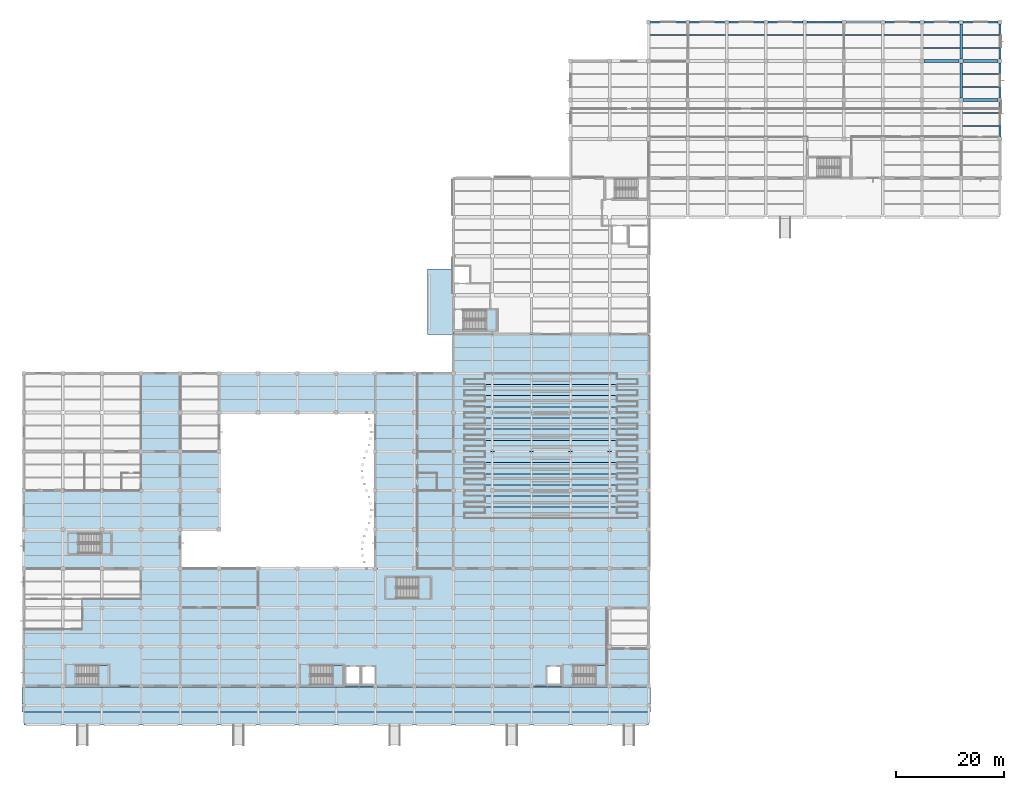
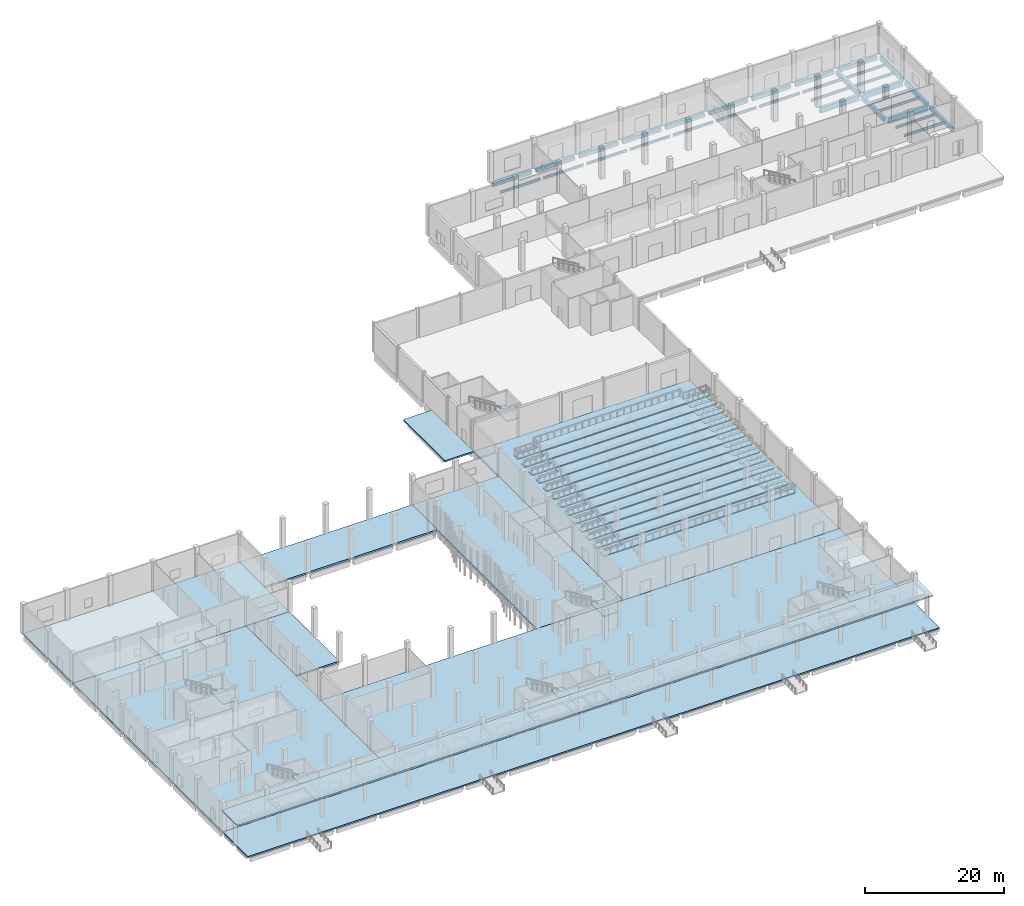
# One storey, part 20 of 46: 32 beams, 29 slabs, 6 elements without a shape of their own.
"""IFC4 building model written with IfcOpenShell, lengths in metres."""

from ifc_helpers import new_model, si_unit, direction, frame, origin, origin_2d, place, context, subcontext, project, spatial, polyline, rectangle, i_section, outline, extrude, material, layer, layer_set, material_profile, profile_set, type_object, element, aggregate, save


model = new_model("IFC4")

# Units and contexts
model_context = context("Model", 3, precision=1e-05, world=origin(), true_north=direction((0.0, 1.0)))
body_context = subcontext(model_context, "Body", "Model", "MODEL_VIEW")
ifc_project = project(units=[si_unit("LENGTHUNIT", "METRE"), si_unit("AREAUNIT", "SQUARE_METRE"), si_unit("VOLUMEUNIT", "CUBIC_METRE"), si_unit("PLANEANGLEUNIT", "RADIAN"), si_unit("MASSUNIT", "GRAM", prefix="KILO"), si_unit("THERMODYNAMICTEMPERATUREUNIT", "KELVIN"), si_unit("POWERUNIT", "WATT")], contexts=[model_context])

# Site, building, storey
site_placement = place(None, origin())
site = spatial("IfcSite", under=ifc_project, at=site_placement, CompositionType="ELEMENT")
building_placement = place(site_placement, origin())
building = spatial("IfcBuilding", under=site, at=building_placement, Name="Kaldorven Railside Theatre", CompositionType="ELEMENT")
storey_placement = place(building_placement, origin())
storey = spatial("IfcBuildingStorey", under=building, at=storey_placement, Name="L00", CompositionType="ELEMENT", Elevation=0.0)

# Beams
ifc_material_1 = material(Name="Steel S355", Category="steel")
ifc_material_profile_1 = material_profile(ifc_material_1, i_section(OverallWidth=0.18994140625, OverallDepth=0.449951171875, WebThickness=0.009521484375, FlangeThickness=0.0146484375, at=origin_2d()), Name="IPE 450")
ifc_profile_set_1 = profile_set([ifc_material_profile_1], Name="Steel S355")
beam_type_1 = type_object("IfcBeamType", Name="BM-IPE450", PredefinedType="JOIST", material=ifc_profile_set_1)
for number, where, z_axis, x_axis, name in (
    (1, (181.02490234375, 122.39990234375, -0.574951171875), (1.0, 0.0, 0.0), (0.0, 1.0, 0.0), "L00 Secondary Floor Joist JG-L00-180-1224"),
    (2, (181.02490234375, 124.800048828125, -0.574951171875), (1.0, 0.0, 0.0), (0.0, 1.0, 0.0), "L00 Secondary Floor Joist JG-L00-180-1248"),
    (3, (181.02490234375, 129.60009765625, -0.574951171875), (1.0, 0.0, 0.0), (0.0, 1.0, 0.0), "L00 Secondary Floor Joist JG-L00-180-1296"),
    (4, (181.02490234375, 132.0, -0.574951171875), (1.0, 0.0, 0.0), (0.0, 1.0, 0.0), "L00 Secondary Floor Joist JG-L00-180-1320"),
):
    element("IfcBeam", number, at=place(storey_placement, frame(where, z_axis=z_axis, x_axis=x_axis)), inside=storey, type_object=beam_type_1, Name=name, PredefinedType="JOIST", context=body_context, shape_type="SweptSolid", body=[
        extrude(i_section(OverallWidth=0.18994140625, OverallDepth=0.449951171875, WebThickness=0.009521484375, FlangeThickness=0.0146484375, at=origin_2d()), origin(), (0.0, 0.0, 1.0), 6.775146484375),
    ])
for number, where, z_axis, x_axis, name in (
    (5, (123.425048828125, 139.199951171875, -0.574951171875), (1.0, 0.0, 0.0), (0.0, 1.0, 0.0), "L00 Secondary Floor Joist JG-L00-123-1392"),
    (6, (130.625, 139.199951171875, -0.574951171875), (1.0, 0.0, 0.0), (0.0, 1.0, 0.0), "L00 Secondary Floor Joist JG-L00-130-1392"),
    (7, (137.824951171875, 139.199951171875, -0.574951171875), (1.0, 0.0, 0.0), (0.0, 1.0, 0.0), "L00 Secondary Floor Joist JG-L00-137-1392"),
    (8, (145.02490234375, 139.199951171875, -0.574951171875), (1.0, 0.0, 0.0), (0.0, 1.0, 0.0), "L00 Secondary Floor Joist JG-L00-144-1392"),
    (9, (152.22509765625, 139.199951171875, -0.574951171875), (1.0, 0.0, 0.0), (0.0, 1.0, 0.0), "L00 Secondary Floor Joist JG-L00-152-1392"),
    (10, (159.425048828125, 139.199951171875, -0.574951171875), (1.0, 0.0, 0.0), (0.0, 1.0, 0.0), "L00 Secondary Floor Joist JG-L00-159-1392"),
    (11, (166.625, 139.199951171875, -0.574951171875), (1.0, 0.0, 0.0), (0.0, 1.0, 0.0), "L00 Secondary Floor Joist JG-L00-166-1392"),
    (12, (173.824951171875, 136.800048828125, -0.574951171875), (1.0, 0.0, 0.0), (0.0, 1.0, 0.0), "L00 Secondary Floor Joist JG-L00-173-1368"),
    (13, (173.824951171875, 139.199951171875, -0.574951171875), (1.0, 0.0, 0.0), (0.0, 1.0, 0.0), "L00 Secondary Floor Joist JG-L00-173-1392"),
):
    element("IfcBeam", number, at=place(storey_placement, frame(where, z_axis=z_axis, x_axis=x_axis)), inside=storey, type_object=beam_type_1, Name=name, PredefinedType="JOIST", context=body_context, shape_type="SweptSolid", body=[
        extrude(i_section(OverallWidth=0.18994140625, OverallDepth=0.449951171875, WebThickness=0.009521484375, FlangeThickness=0.0146484375, at=origin_2d()), origin(), (0.0, 0.0, 1.0), 6.75),
    ])
for number, where, z_axis, x_axis, name in (
    (14, (181.02490234375, 136.800048828125, -0.574951171875), (1.0, 0.0, 0.0), (0.0, 1.0, 0.0), "L00 Secondary Floor Joist JG-L00-180-1368"),
    (15, (181.02490234375, 139.199951171875, -0.574951171875), (1.0, 0.0, 0.0), (0.0, 1.0, 0.0), "L00 Secondary Floor Joist JG-L00-180-1392"),
):
    element("IfcBeam", number, at=place(storey_placement, frame(where, z_axis=z_axis, x_axis=x_axis)), inside=storey, type_object=beam_type_1, Name=name, PredefinedType="JOIST", context=body_context, shape_type="SweptSolid", body=[
        extrude(i_section(OverallWidth=0.18994140625, OverallDepth=0.449951171875, WebThickness=0.009521484375, FlangeThickness=0.0146484375, at=origin_2d()), origin(), (0.0, 0.0, 1.0), 6.775146484375),
    ])
ifc_material_2 = material(Name="Concrete C40/50", Category="concrete")
ifc_material_profile_2 = material_profile(ifc_material_2, rectangle(XDim=0.39990234375, YDim=0.699951171875, at=origin_2d()), Name="RC 400x700")
ifc_profile_set_2 = profile_set([ifc_material_profile_2], Name="Concrete C40/50")
beam_type_2 = type_object("IfcBeamType", Name="BM-RC400x700", PredefinedType="BEAM", material=ifc_profile_set_2)
for number, where, z_axis, x_axis, name in (
    (16, (188.0, 120.375, -0.699951171875), (0.0, 1.0, 0.0), (-1.0, 0.0, 0.0), "L00 Girder BGY-L00-188-120-72"),
    (17, (188.0, 127.574951171875, -0.699951171875), (0.0, 1.0, 0.0), (-1.0, 0.0, 0.0), "L00 Girder BGY-L00-188-127-72"),
):
    element("IfcBeam", number, at=place(storey_placement, frame(where, z_axis=z_axis, x_axis=x_axis)), inside=storey, type_object=beam_type_2, Name=name, PredefinedType="BEAM", context=body_context, shape_type="SweptSolid", body=[
        extrude(rectangle(XDim=0.39990234375, YDim=0.699951171875, at=origin_2d()), origin(), (0.0, 0.0, 1.0), 6.449951171875),
    ])
beam_1_placement = place(storey_placement, frame((188.0, 134.77490234375, -0.699951171875), z_axis=(0.0, 1.0, 0.0), x_axis=(-1.0, 0.0, 0.0)))
element("IfcBeam", 18, at=beam_1_placement, inside=storey, type_object=beam_type_2, Name="L00 Girder BGY-L00-188-134-72", PredefinedType="BEAM", context=body_context, shape_type="SweptSolid", body=[
    extrude(rectangle(XDim=0.39990234375, YDim=0.699951171875, at=origin_2d()), origin(), (0.0, 0.0, 1.0), 6.4501953125),
])
beam_2_placement = place(storey_placement, frame((123.574951171875, 141.60009765625, -0.699951171875), z_axis=(1.0, 0.0, 0.0), x_axis=(0.0, 1.0, 0.0)))
element("IfcBeam", 19, at=beam_2_placement, inside=storey, type_object=beam_type_2, Name="L00 Girder BGX-L00-123-141", PredefinedType="BEAM", context=body_context, shape_type="SweptSolid", body=[
    extrude(rectangle(XDim=0.39990234375, YDim=0.699951171875, at=origin_2d()), origin(), (0.0, 0.0, 1.0), 6.449951171875),
])
beam_3_placement = place(storey_placement, frame((130.77490234375, 141.60009765625, -0.699951171875), z_axis=(1.0, 0.0, 0.0), x_axis=(0.0, 1.0, 0.0)))
element("IfcBeam", 20, at=beam_3_placement, inside=storey, type_object=beam_type_2, Name="L00 Girder BGX-L00-130-141", PredefinedType="BEAM", context=body_context, shape_type="SweptSolid", body=[
    extrude(rectangle(XDim=0.39990234375, YDim=0.699951171875, at=origin_2d()), origin(), (0.0, 0.0, 1.0), 6.4501953125),
])
for number, where, z_axis, x_axis, name in (
    (21, (137.97509765625, 141.60009765625, -0.699951171875), (1.0, 0.0, 0.0), (0.0, 1.0, 0.0), "L00 Girder BGX-L00-137-141"),
    (22, (145.175048828125, 141.60009765625, -0.699951171875), (1.0, 0.0, 0.0), (0.0, 1.0, 0.0), "L00 Girder BGX-L00-144-141"),
    (23, (152.375, 141.60009765625, -0.699951171875), (1.0, 0.0, 0.0), (0.0, 1.0, 0.0), "L00 Girder BGX-L00-152-141"),
    (24, (159.574951171875, 141.60009765625, -0.699951171875), (1.0, 0.0, 0.0), (0.0, 1.0, 0.0), "L00 Girder BGX-L00-159-141"),
):
    element("IfcBeam", number, at=place(storey_placement, frame(where, z_axis=z_axis, x_axis=x_axis)), inside=storey, type_object=beam_type_2, Name=name, PredefinedType="BEAM", context=body_context, shape_type="SweptSolid", body=[
        extrude(rectangle(XDim=0.39990234375, YDim=0.699951171875, at=origin_2d()), origin(), (0.0, 0.0, 1.0), 6.449951171875),
    ])
beam_4_placement = place(storey_placement, frame((166.77490234375, 141.60009765625, -0.699951171875), z_axis=(1.0, 0.0, 0.0), x_axis=(0.0, 1.0, 0.0)))
element("IfcBeam", 25, at=beam_4_placement, inside=storey, type_object=beam_type_2, Name="L00 Girder BGX-L00-166-141", PredefinedType="BEAM", context=body_context, shape_type="SweptSolid", body=[
    extrude(rectangle(XDim=0.39990234375, YDim=0.699951171875, at=origin_2d()), origin(), (0.0, 0.0, 1.0), 6.4501953125),
])
for number, where, z_axis, x_axis, name in (
    (26, (173.97509765625, 141.60009765625, -0.699951171875), (1.0, 0.0, 0.0), (0.0, 1.0, 0.0), "L00 Girder BGX-L00-173-141"),
    (27, (181.175048828125, 141.60009765625, -0.699951171875), (1.0, 0.0, 0.0), (0.0, 1.0, 0.0), "L00 Girder BGX-L00-180-141"),
):
    element("IfcBeam", number, at=place(storey_placement, frame(where, z_axis=z_axis, x_axis=x_axis)), inside=storey, type_object=beam_type_2, Name=name, PredefinedType="BEAM", context=body_context, shape_type="SweptSolid", body=[
        extrude(rectangle(XDim=0.39990234375, YDim=0.699951171875, at=origin_2d()), origin(), (0.0, 0.0, 1.0), 6.449951171875),
    ])
ifc_material_profile_3 = material_profile(ifc_material_2, rectangle(XDim=0.449951171875, YDim=0.800048828125, at=origin_2d()), Name="RC 450x800")
ifc_profile_set_3 = profile_set([ifc_material_profile_3], Name="Concrete C40/50")
beam_type_3 = type_object("IfcBeamType", Name="BM-RC450x800", PredefinedType="BEAM", material=ifc_profile_set_3)
beam_5_placement = place(storey_placement, frame((180.800048828125, 127.574951171875, -0.75), z_axis=(0.0, 1.0, 0.0), x_axis=(-1.0, 0.0, 0.0)))
element("IfcBeam", 28, at=beam_5_placement, inside=storey, type_object=beam_type_3, Name="L00 Girder BGY-L00-180-127-72", PredefinedType="BEAM", context=body_context, shape_type="SweptSolid", body=[
    extrude(rectangle(XDim=0.449951171875, YDim=0.800048828125, at=origin_2d()), origin(), (0.0, 0.0, 1.0), 6.449951171875),
])
beam_6_placement = place(storey_placement, frame((180.800048828125, 134.77490234375, -0.75), z_axis=(0.0, 1.0, 0.0), x_axis=(-1.0, 0.0, 0.0)))
element("IfcBeam", 29, at=beam_6_placement, inside=storey, type_object=beam_type_3, Name="L00 Girder BGY-L00-180-134-72", PredefinedType="BEAM", context=body_context, shape_type="SweptSolid", body=[
    extrude(rectangle(XDim=0.449951171875, YDim=0.800048828125, at=origin_2d()), origin(), (0.0, 0.0, 1.0), 6.4501953125),
])
ifc_material_profile_4 = material_profile(ifc_material_2, rectangle(XDim=0.5, YDim=0.949951171875, at=origin_2d()), Name="RC 500x950")
ifc_profile_set_4 = profile_set([ifc_material_profile_4], Name="Concrete C40/50")
beam_type_4 = type_object("IfcBeamType", Name="BM-RC500x950", PredefinedType="BEAM", material=ifc_profile_set_4)
for number, where, z_axis, x_axis, name in (
    (30, (181.175048828125, 127.199951171875, -0.824951171875), (1.0, 0.0, 0.0), (0.0, 1.0, 0.0), "L00 Girder BGX-L00-180-127"),
    (31, (173.97509765625, 134.39990234375, -0.824951171875), (1.0, 0.0, 0.0), (0.0, 1.0, 0.0), "L00 Girder BGX-L00-173-134"),
    (32, (181.175048828125, 134.39990234375, -0.824951171875), (1.0, 0.0, 0.0), (0.0, 1.0, 0.0), "L00 Girder BGX-L00-180-134"),
):
    element("IfcBeam", number, at=place(storey_placement, frame(where, z_axis=z_axis, x_axis=x_axis)), inside=storey, type_object=beam_type_4, Name=name, PredefinedType="BEAM", context=body_context, shape_type="SweptSolid", body=[
        extrude(rectangle(XDim=0.5, YDim=0.949951171875, at=origin_2d()), origin(), (0.0, 0.0, 1.0), 6.449951171875),
    ])

# Slabs
ifc_material_3 = material(Name="Concrete C35/45", Category="concrete")
ifc_layer_1 = layer(ifc_material_3, 0.25, Name="Concrete C35/45")
ifc_layer_set_1 = layer_set([ifc_layer_1], Name="Concrete C35/45")
slab_type_1 = type_object("IfcSlabType", Name="SLB-ESL-250", PredefinedType="FLOOR", material=ifc_layer_set_1)
slab_1_placement = place(storey_placement, frame((0.0, 0.0, -0.25)))
element("IfcSlab", 33, at=slab_1_placement, inside=storey, type_object=slab_type_1, Name="L00 Floor Slab SL-L00-COL", PredefinedType="FLOOR", context=body_context, shape_type="SweptSolid", body=[
    extrude(outline(polyline([(8.0, 12.0), (123.199951171875, 12.0), (123.199951171875, 19.199951171875), (8.0, 19.199951171875), (8.0, 12.0)])), origin(), (0.0, 0.0, 1.0), 0.25),
])
slab_2_placement = place(storey_placement, frame((0.0, 0.0, -0.25)))
element("IfcSlab", 34, at=slab_2_placement, inside=storey, type_object=slab_type_1, Name="L00 Floor Slab SL-L00-WSTG", PredefinedType="FLOOR", context=body_context, shape_type="SweptSolid", body=[
    extrude(outline(polyline([(82.39990234375, 84.0), (87.199951171875, 84.0), (87.199951171875, 96.0), (82.39990234375, 96.0), (82.39990234375, 84.0)])), origin(), (0.0, 0.0, 1.0), 0.25),
])
ifc_layer_2 = layer(ifc_material_3, 0.280029296875, Name="Concrete C35/45")
ifc_layer_set_2 = layer_set([ifc_layer_2], Name="Concrete C35/45")
slab_type_2 = type_object("IfcSlabType", Name="SLB-FSL-280", PredefinedType="FLOOR", material=ifc_layer_set_2)
slab_3_placement = place(storey_placement, frame((0.0, 0.0, -0.280029296875)))
element("IfcSlab", 35, at=slab_3_placement, inside=storey, type_object=slab_type_2, Name="L00 Floor Slab SL-L00-V4B", PredefinedType="FLOOR", context=body_context, shape_type="SweptSolid", body=[
    extrude(outline(polyline([(36.800048828125, 48.0), (44.0, 48.0), (44.0, 62.39990234375), (36.800048828125, 62.39990234375), (36.800048828125, 48.0)])), origin(), (0.0, 0.0, 1.0), 0.280029296875),
])
ifc_layer_3 = layer(ifc_material_3, 0.300048828125, Name="Concrete C35/45")
ifc_layer_set_3 = layer_set([ifc_layer_3], Name="Concrete C35/45")
slab_type_3 = type_object("IfcSlabType", Name="SLB-FSL-300", PredefinedType="FLOOR", material=ifc_layer_set_3)
slab_4_placement = place(storey_placement, frame((0.0, 0.0, -0.300048828125)))
element("IfcSlab", 36, at=slab_4_placement, inside=storey, type_object=slab_type_3, Name="L00 Floor Slab SL-L00-V3", PredefinedType="FLOOR", context=body_context, shape_type="SweptSolid", body=[
    extrude(outline(polyline([(8.0, 19.199951171875), (36.800048828125, 19.199951171875), (36.800048828125, 62.39990234375), (8.0, 62.39990234375), (8.0, 19.199951171875)]), holes=[polyline([(17.550048828125, 22.949951171875), (23.64990234375, 22.949951171875), (23.64990234375, 19.35009765625), (17.699951171875, 19.35009765625), (17.699951171875, 21.070068359375), (17.550048828125, 21.070068359375), (17.550048828125, 22.949951171875)])]), origin(), (0.0, 0.0, 1.0), 0.300048828125),
])
slab_5_placement = place(storey_placement, frame((0.0, 0.0, -0.300048828125)))
element("IfcSlab", 37, at=slab_5_placement, inside=storey, type_object=slab_type_3, Name="L00 Floor Slab SL-L00-V4A", PredefinedType="FLOOR", context=body_context, shape_type="SweptSolid", body=[
    extrude(outline(polyline([(8.0, 62.39990234375), (44.0, 62.39990234375), (44.0, 76.800048828125), (8.0, 76.800048828125), (8.0, 62.39990234375)])), origin(), (0.0, 0.0, 1.0), 0.300048828125),
])
slab_6_placement = place(storey_placement, frame((0.0, 0.0, -0.300048828125)))
element("IfcSlab", 38, at=slab_6_placement, inside=storey, type_object=slab_type_3, Name="L00 Floor Slab SL-L00-V5W", PredefinedType="FLOOR", context=body_context, shape_type="SweptSolid", body=[
    extrude(outline(polyline([(72.800048828125, 40.800048828125), (87.199951171875, 40.800048828125), (87.199951171875, 76.800048828125), (72.800048828125, 76.800048828125), (72.800048828125, 40.800048828125)])), origin(), (0.0, 0.0, 1.0), 0.300048828125),
])
slab_7_placement = place(storey_placement, frame((0.0, 0.0, -0.300048828125)))
element("IfcSlab", 39, at=slab_7_placement, inside=storey, type_object=slab_type_3, Name="L00 Floor Slab SL-L00-CTWK", PredefinedType="FLOOR", context=body_context, shape_type="SweptSolid", body=[
    extrude(outline(polyline([(44.0, 69.60009765625), (72.800048828125, 69.60009765625), (72.800048828125, 76.800048828125), (44.0, 76.800048828125), (44.0, 69.60009765625)])), origin(), (0.0, 0.0, 1.0), 0.300048828125),
])
ifc_layer_4 = layer(ifc_material_3, 0.320068359375, Name="Concrete C35/45")
ifc_layer_set_4 = layer_set([ifc_layer_4], Name="Concrete C35/45")
slab_type_4 = type_object("IfcSlabType", Name="SLB-FSL-320", PredefinedType="FLOOR", material=ifc_layer_set_4)
slab_8_placement = place(storey_placement, frame((0.0, 0.0, -0.320068359375)))
element("IfcSlab", 40, at=slab_8_placement, inside=storey, type_object=slab_type_4, Name="L00 Floor Slab SL-L00-V5S", PredefinedType="FLOOR", context=body_context, shape_type="SweptSolid", body=[
    extrude(outline(polyline([(36.800048828125, 19.199951171875), (123.199951171875, 19.199951171875), (123.199951171875, 40.800048828125), (36.800048828125, 40.800048828125), (36.800048828125, 19.199951171875)]), holes=[polyline([(60.75, 22.949951171875), (66.85009765625, 22.949951171875), (66.85009765625, 19.35009765625), (60.89990234375, 19.35009765625), (60.89990234375, 21.070068359375), (60.75, 21.070068359375), (60.75, 22.949951171875)]), polyline([(109.25, 22.949951171875), (115.35009765625, 22.949951171875), (115.35009765625, 19.35009765625), (109.39990234375, 19.35009765625), (109.39990234375, 21.070068359375), (109.25, 21.070068359375), (109.25, 22.949951171875)]), polyline([(69.949951171875, 19.449951171875), (69.949951171875, 22.85009765625), (67.35009765625, 22.85009765625), (67.35009765625, 19.449951171875), (69.949951171875, 19.449951171875)]), polyline([(72.85009765625, 19.449951171875), (72.85009765625, 22.85009765625), (70.25, 22.85009765625), (70.25, 19.449951171875), (72.85009765625, 19.449951171875)]), polyline([(107.050048828125, 19.449951171875), (107.050048828125, 22.85009765625), (104.35009765625, 22.85009765625), (104.35009765625, 19.449951171875), (107.050048828125, 19.449951171875)])]), origin(), (0.0, 0.0, 1.0), 0.320068359375),
])
ifc_layer_5 = layer(ifc_material_3, 0.35009765625, Name="Concrete C35/45")
ifc_layer_set_5 = layer_set([ifc_layer_5], Name="Concrete C35/45")
slab_type_5 = type_object("IfcSlabType", Name="SLB-FSL-350", PredefinedType="FLOOR", material=ifc_layer_set_5)
slab_9_placement = place(storey_placement, frame((0.0, 0.0, -0.35009765625)))
element("IfcSlab", 41, at=slab_9_placement, inside=storey, type_object=slab_type_5, Name="L00 Floor Slab SL-L00-V1", PredefinedType="FLOOR", context=body_context, shape_type="SweptSolid", body=[
    extrude(outline(polyline([(87.199951171875, 40.800048828125), (123.199951171875, 40.800048828125), (123.199951171875, 84.0), (87.199951171875, 84.0), (87.199951171875, 40.800048828125)])), origin(), (0.0, 0.0, 1.0), 0.35009765625),
])

# Stair, slab
stair_type_1 = type_object("IfcStairType", Name="STR-DL-02", PredefinedType="HALF_TURN_STAIR", material=ifc_material_3)
stair_1_placement = place(storey_placement, origin())
stair_1 = element("IfcStair", 42, at=stair_1_placement, inside=storey, type_object=stair_type_1, Name="L00 Core C-SW Escape Stair ST-01", PredefinedType="HALF_TURN_STAIR")
ifc_layer_6 = layer(ifc_material_3, 0.199951171875, Name="Concrete C35/45")
ifc_layer_set_6 = layer_set([ifc_layer_6], Name="Concrete C35/45")
slab_type_6 = type_object("IfcSlabType", Name="SLB-LSL-200", PredefinedType="LANDING", material=ifc_layer_set_6)
slab_10_placement = place(storey_placement, frame((0.0, 0.0, 2.5)))
slab_10 = element("IfcSlab", 43, at=slab_10_placement, type_object=slab_type_6, Name="ST-01 landing 1", PredefinedType="LANDING", context=body_context, shape_type="SweptSolid", body=[
    extrude(outline(polyline([(21.72509765625, 19.320068359375), (23.679931640625, 19.320068359375), (23.679931640625, 22.97998046875), (21.72509765625, 22.97998046875), (21.72509765625, 19.320068359375)])), origin(), (0.0, 0.0, 1.0), 0.199951171875),
])
aggregate(stair_1, [slab_10])

stair_2_placement = place(storey_placement, origin())
stair_2 = element("IfcStair", 44, at=stair_2_placement, inside=storey, type_object=stair_type_1, Name="L00 Core C-NW Escape Stair ST-02", PredefinedType="HALF_TURN_STAIR")
slab_11_placement = place(storey_placement, frame((0.0, 0.0, 2.5)))
slab_11 = element("IfcSlab", 45, at=slab_11_placement, type_object=slab_type_6, Name="ST-02 landing 1", PredefinedType="LANDING", context=body_context, shape_type="SweptSolid", body=[
    extrude(outline(polyline([(22.175048828125, 43.6201171875), (24.1298828125, 43.6201171875), (24.1298828125, 47.280029296875), (22.175048828125, 47.280029296875), (22.175048828125, 43.6201171875)])), origin(), (0.0, 0.0, 1.0), 0.199951171875),
])
aggregate(stair_2, [slab_11])

stair_3_placement = place(storey_placement, origin())
stair_3 = element("IfcStair", 46, at=stair_3_placement, inside=storey, type_object=stair_type_1, Name="L00 Core C-FS Escape Stair ST-03", PredefinedType="HALF_TURN_STAIR")
slab_12_placement = place(storey_placement, frame((0.0, 0.0, 2.5)))
slab_12 = element("IfcSlab", 47, at=slab_12_placement, type_object=slab_type_6, Name="ST-03 landing 1", PredefinedType="LANDING", context=body_context, shape_type="SweptSolid", body=[
    extrude(outline(polyline([(64.925048828125, 19.320068359375), (66.8798828125, 19.320068359375), (66.8798828125, 22.97998046875), (64.925048828125, 22.97998046875), (64.925048828125, 19.320068359375)])), origin(), (0.0, 0.0, 1.0), 0.199951171875),
])
aggregate(stair_3, [slab_12])

stair_4_placement = place(storey_placement, origin())
stair_4 = element("IfcStair", 48, at=stair_4_placement, inside=storey, type_object=stair_type_1, Name="L00 Core C-SE Escape Stair ST-04", PredefinedType="HALF_TURN_STAIR")
slab_13_placement = place(storey_placement, frame((0.0, 0.0, 2.5)))
slab_13 = element("IfcSlab", 49, at=slab_13_placement, type_object=slab_type_6, Name="ST-04 landing 1", PredefinedType="LANDING", context=body_context, shape_type="SweptSolid", body=[
    extrude(outline(polyline([(113.425048828125, 19.320068359375), (115.3798828125, 19.320068359375), (115.3798828125, 22.97998046875), (113.425048828125, 22.97998046875), (113.425048828125, 19.320068359375)])), origin(), (0.0, 0.0, 1.0), 0.199951171875),
])
aggregate(stair_4, [slab_13])

stair_5_placement = place(storey_placement, origin())
stair_5 = element("IfcStair", 50, at=stair_5_placement, inside=storey, type_object=stair_type_1, Name="L00 Core C-STW Escape Stair ST-05", PredefinedType="HALF_TURN_STAIR")
slab_14_placement = place(storey_placement, frame((0.0, 0.0, 2.5)))
slab_14 = element("IfcSlab", 51, at=slab_14_placement, type_object=slab_type_6, Name="ST-05 landing 1", PredefinedType="LANDING", context=body_context, shape_type="SweptSolid", body=[
    extrude(outline(polyline([(93.22509765625, 84.820068359375), (95.179931640625, 84.820068359375), (95.179931640625, 88.47998046875), (93.22509765625, 88.47998046875), (93.22509765625, 84.820068359375)])), origin(), (0.0, 0.0, 1.0), 0.199951171875),
])
aggregate(stair_5, [slab_14])

stair_type_2 = type_object("IfcStairType", Name="STR-DL-05", PredefinedType="HALF_TURN_STAIR", material=ifc_material_3)
stair_6_placement = place(storey_placement, origin())
stair_6 = element("IfcStair", 52, at=stair_6_placement, inside=storey, type_object=stair_type_2, Name="L00 Grand Foyer Ceremonial Stair", PredefinedType="HALF_TURN_STAIR")
slab_15_placement = place(storey_placement, frame((0.0, 0.0, 2.5)))
slab_15 = element("IfcSlab", 53, at=slab_15_placement, type_object=slab_type_6, Name="ST-07 landing 1", PredefinedType="LANDING", context=body_context, shape_type="SweptSolid", body=[
    extrude(outline(polyline([(80.77490234375, 35.320068359375), (83.030029296875, 35.320068359375), (83.030029296875, 39.179931640625), (80.77490234375, 39.179931640625), (80.77490234375, 35.320068359375)])), origin(), (0.0, 0.0, 1.0), 0.199951171875),
])
aggregate(stair_6, [slab_15])

# Slabs
ifc_layer_7 = layer(ifc_material_3, 0.239990234375, Name="Concrete C35/45")
ifc_layer_set_7 = layer_set([ifc_layer_7], Name="Concrete C35/45")
slab_type_7 = type_object("IfcSlabType", Name="SLB-RSL-240", PredefinedType="ROOF", material=ifc_layer_set_7)
slab_16_placement = place(storey_placement, frame((0.0, 0.0, 3.909912109375)))
element("IfcSlab", 54, at=slab_16_placement, inside=storey, type_object=slab_type_7, Name="Southern Arrival Colonnade Rain Canopy SL-L01-CAN", PredefinedType="ROOF", context=body_context, shape_type="SweptSolid", body=[
    extrude(outline(polyline([(7.64990234375, 14.39990234375), (123.550048828125, 14.39990234375), (123.550048828125, 18.949951171875), (7.64990234375, 18.949951171875), (7.64990234375, 14.39990234375)])), origin(), (0.0, 0.0, 1.0), 0.239990234375),
])
ifc_layer_8 = layer(ifc_material_3, 0.199951171875, Name="Concrete C35/45")
ifc_layer_set_8 = layer_set([ifc_layer_8], Name="Concrete C35/45")
slab_type_8 = type_object("IfcSlabType", Name="SLB-TIER-200", PredefinedType="USERDEFINED", material=ifc_layer_set_8)
slab_17_placement = place(storey_placement, frame((0.0, 0.0, 1.22998046875)))
element("IfcSlab", 55, at=slab_17_placement, inside=storey, type_object=slab_type_8, Name="V1S Seating Tier 02", ObjectType="SEATING TIER", PredefinedType="USERDEFINED", context=body_context, shape_type="SweptSolid", body=[
    extrude(outline(polyline([(89.199951171875, 50.056884765625), (121.199951171875, 50.056884765625), (121.199951171875, 51.0859375), (117.39990234375, 51.0859375), (117.39990234375, 52.114013671875), (93.0, 52.114013671875), (93.0, 51.0859375), (89.199951171875, 51.0859375), (89.199951171875, 50.056884765625)])), origin(), (0.0, 0.0, 1.0), 0.199951171875),
])
slab_18_placement = place(storey_placement, frame((0.0, 0.0, 1.409912109375)))
element("IfcSlab", 56, at=slab_18_placement, inside=storey, type_object=slab_type_8, Name="V1S Seating Tier 03", ObjectType="SEATING TIER", PredefinedType="USERDEFINED", context=body_context, shape_type="SweptSolid", body=[
    extrude(outline(polyline([(89.199951171875, 52.114013671875), (121.199951171875, 52.114013671875), (121.199951171875, 53.14306640625), (117.39990234375, 53.14306640625), (117.39990234375, 54.1708984375), (93.0, 54.1708984375), (93.0, 53.14306640625), (89.199951171875, 53.14306640625), (89.199951171875, 52.114013671875)])), origin(), (0.0, 0.0, 1.0), 0.2001953125),
])
slab_19_placement = place(storey_placement, frame((0.0, 0.0, 1.590087890625)))
element("IfcSlab", 57, at=slab_19_placement, inside=storey, type_object=slab_type_8, Name="V1S Seating Tier 04", ObjectType="SEATING TIER", PredefinedType="USERDEFINED", context=body_context, shape_type="SweptSolid", body=[
    extrude(outline(polyline([(89.199951171875, 54.1708984375), (121.199951171875, 54.1708984375), (121.199951171875, 55.199951171875), (117.39990234375, 55.199951171875), (117.39990234375, 56.22802734375), (93.0, 56.22802734375), (93.0, 55.199951171875), (89.199951171875, 55.199951171875), (89.199951171875, 54.1708984375)])), origin(), (0.0, 0.0, 1.0), 0.199951171875),
])
slab_20_placement = place(storey_placement, frame((0.0, 0.0, 1.77001953125)))
element("IfcSlab", 58, at=slab_20_placement, inside=storey, type_object=slab_type_8, Name="V1S Seating Tier 05", ObjectType="SEATING TIER", PredefinedType="USERDEFINED", context=body_context, shape_type="SweptSolid", body=[
    extrude(outline(polyline([(89.199951171875, 56.22802734375), (121.199951171875, 56.22802734375), (121.199951171875, 57.257080078125), (117.39990234375, 57.257080078125), (117.39990234375, 58.284912109375), (93.0, 58.284912109375), (93.0, 57.257080078125), (89.199951171875, 57.257080078125), (89.199951171875, 56.22802734375)])), origin(), (0.0, 0.0, 1.0), 0.199951171875),
])
slab_21_placement = place(storey_placement, frame((0.0, 0.0, 1.949951171875)))
element("IfcSlab", 59, at=slab_21_placement, inside=storey, type_object=slab_type_8, Name="V1S Seating Tier 06", ObjectType="SEATING TIER", PredefinedType="USERDEFINED", context=body_context, shape_type="SweptSolid", body=[
    extrude(outline(polyline([(89.199951171875, 58.284912109375), (121.199951171875, 58.284912109375), (121.199951171875, 59.31396484375), (117.39990234375, 59.31396484375), (117.39990234375, 60.342041015625), (93.0, 60.342041015625), (93.0, 59.31396484375), (89.199951171875, 59.31396484375), (89.199951171875, 58.284912109375)])), origin(), (0.0, 0.0, 1.0), 0.199951171875),
])
slab_22_placement = place(storey_placement, frame((0.0, 0.0, 2.1298828125)))
element("IfcSlab", 60, at=slab_22_placement, inside=storey, type_object=slab_type_8, Name="V1S Seating Tier 07", ObjectType="SEATING TIER", PredefinedType="USERDEFINED", context=body_context, shape_type="SweptSolid", body=[
    extrude(outline(polyline([(89.199951171875, 60.342041015625), (121.199951171875, 60.342041015625), (121.199951171875, 61.37109375), (117.39990234375, 61.37109375), (117.39990234375, 62.39892578125), (93.0, 62.39892578125), (93.0, 61.37109375), (89.199951171875, 61.37109375), (89.199951171875, 60.342041015625)])), origin(), (0.0, 0.0, 1.0), 0.2001953125),
])
slab_23_placement = place(storey_placement, frame((0.0, 0.0, 2.31005859375)))
element("IfcSlab", 61, at=slab_23_placement, inside=storey, type_object=slab_type_8, Name="V1S Seating Tier 08", ObjectType="SEATING TIER", PredefinedType="USERDEFINED", context=body_context, shape_type="SweptSolid", body=[
    extrude(outline(polyline([(89.199951171875, 62.39892578125), (121.199951171875, 62.39892578125), (121.199951171875, 63.427978515625), (117.39990234375, 63.427978515625), (117.39990234375, 64.4560546875), (93.0, 64.4560546875), (93.0, 63.427978515625), (89.199951171875, 63.427978515625), (89.199951171875, 62.39892578125)])), origin(), (0.0, 0.0, 1.0), 0.199951171875),
])
slab_24_placement = place(storey_placement, frame((0.0, 0.0, 2.489990234375)))
element("IfcSlab", 62, at=slab_24_placement, inside=storey, type_object=slab_type_8, Name="V1S Seating Tier 09", ObjectType="SEATING TIER", PredefinedType="USERDEFINED", context=body_context, shape_type="SweptSolid", body=[
    extrude(outline(polyline([(89.199951171875, 64.4560546875), (121.199951171875, 64.4560546875), (121.199951171875, 65.485107421875), (117.39990234375, 65.485107421875), (117.39990234375, 66.512939453125), (93.0, 66.512939453125), (93.0, 65.485107421875), (89.199951171875, 65.485107421875), (89.199951171875, 64.4560546875)])), origin(), (0.0, 0.0, 1.0), 0.199951171875),
])
slab_25_placement = place(storey_placement, frame((0.0, 0.0, 2.669921875)))
element("IfcSlab", 63, at=slab_25_placement, inside=storey, type_object=slab_type_8, Name="V1S Seating Tier 10", ObjectType="SEATING TIER", PredefinedType="USERDEFINED", context=body_context, shape_type="SweptSolid", body=[
    extrude(outline(polyline([(89.199951171875, 66.512939453125), (121.199951171875, 66.512939453125), (121.199951171875, 67.5419921875), (117.39990234375, 67.5419921875), (117.39990234375, 68.570068359375), (93.0, 68.570068359375), (93.0, 67.5419921875), (89.199951171875, 67.5419921875), (89.199951171875, 66.512939453125)])), origin(), (0.0, 0.0, 1.0), 0.2001953125),
])
slab_26_placement = place(storey_placement, frame((0.0, 0.0, 2.85009765625)))
element("IfcSlab", 64, at=slab_26_placement, inside=storey, type_object=slab_type_8, Name="V1S Seating Tier 11", ObjectType="SEATING TIER", PredefinedType="USERDEFINED", context=body_context, shape_type="SweptSolid", body=[
    extrude(outline(polyline([(89.199951171875, 68.570068359375), (121.199951171875, 68.570068359375), (121.199951171875, 69.59912109375), (117.39990234375, 69.59912109375), (117.39990234375, 70.626953125), (93.0, 70.626953125), (93.0, 69.59912109375), (89.199951171875, 69.59912109375), (89.199951171875, 68.570068359375)])), origin(), (0.0, 0.0, 1.0), 0.199951171875),
])
slab_27_placement = place(storey_placement, frame((0.0, 0.0, 3.030029296875)))
element("IfcSlab", 65, at=slab_27_placement, inside=storey, type_object=slab_type_8, Name="V1S Seating Tier 12", ObjectType="SEATING TIER", PredefinedType="USERDEFINED", context=body_context, shape_type="SweptSolid", body=[
    extrude(outline(polyline([(89.199951171875, 70.626953125), (121.199951171875, 70.626953125), (121.199951171875, 71.656005859375), (117.39990234375, 71.656005859375), (117.39990234375, 72.68408203125), (93.0, 72.68408203125), (93.0, 71.656005859375), (89.199951171875, 71.656005859375), (89.199951171875, 70.626953125)])), origin(), (0.0, 0.0, 1.0), 0.199951171875),
])
slab_28_placement = place(storey_placement, frame((0.0, 0.0, 3.2099609375)))
element("IfcSlab", 66, at=slab_28_placement, inside=storey, type_object=slab_type_8, Name="V1S Seating Tier 13", ObjectType="SEATING TIER", PredefinedType="USERDEFINED", context=body_context, shape_type="SweptSolid", body=[
    extrude(outline(polyline([(89.199951171875, 72.68408203125), (121.199951171875, 72.68408203125), (121.199951171875, 73.712890625), (117.39990234375, 73.712890625), (117.39990234375, 74.740966796875), (93.0, 74.740966796875), (93.0, 73.712890625), (89.199951171875, 73.712890625), (89.199951171875, 72.68408203125)])), origin(), (0.0, 0.0, 1.0), 0.199951171875),
])
slab_29_placement = place(storey_placement, frame((0.0, 0.0, 3.389892578125)))
element("IfcSlab", 67, at=slab_29_placement, inside=storey, type_object=slab_type_8, Name="V1S Seating Tier 14", ObjectType="SEATING TIER", PredefinedType="USERDEFINED", context=body_context, shape_type="SweptSolid", body=[
    extrude(outline(polyline([(89.199951171875, 74.740966796875), (121.199951171875, 74.740966796875), (121.199951171875, 75.77001953125), (117.39990234375, 75.77001953125), (117.39990234375, 76.798095703125), (93.0, 76.798095703125), (93.0, 75.77001953125), (89.199951171875, 75.77001953125), (89.199951171875, 74.740966796875)])), origin(), (0.0, 0.0, 1.0), 0.2001953125),
])

save(model, "model.ifc")
